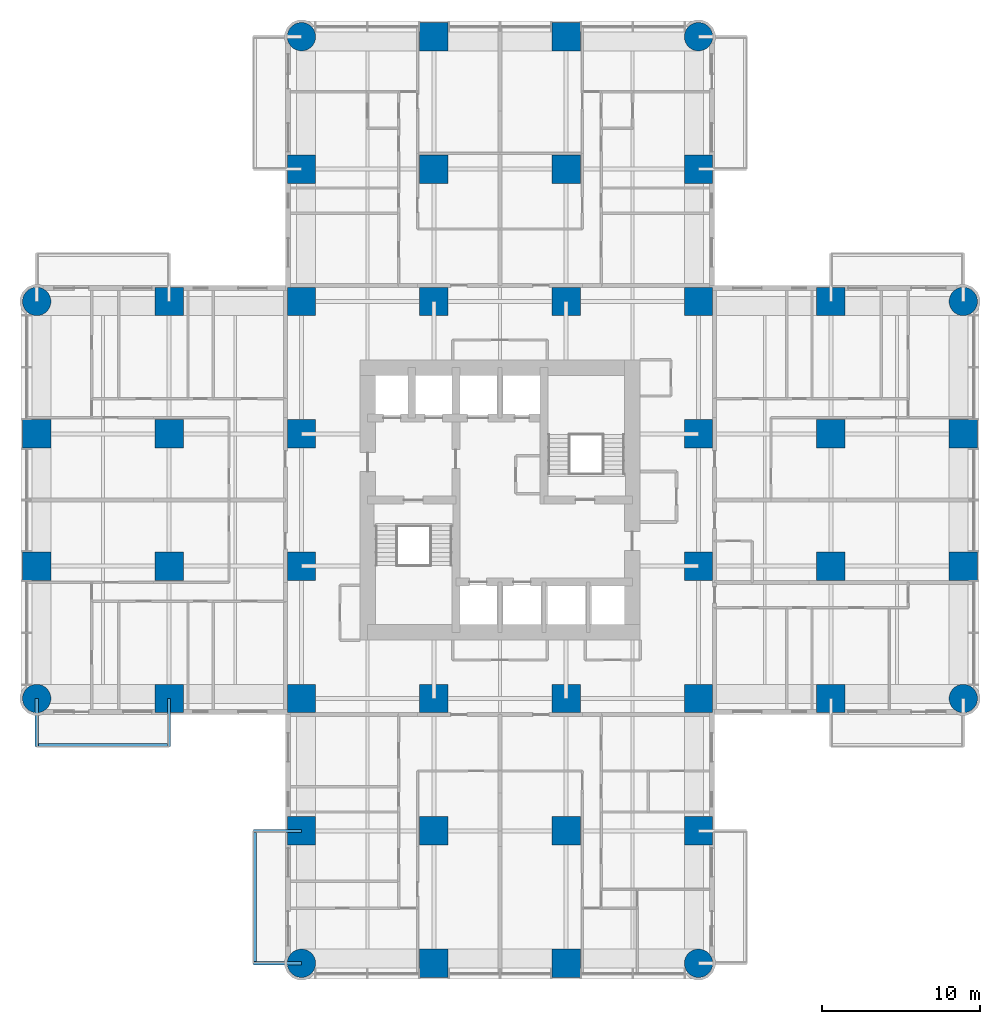
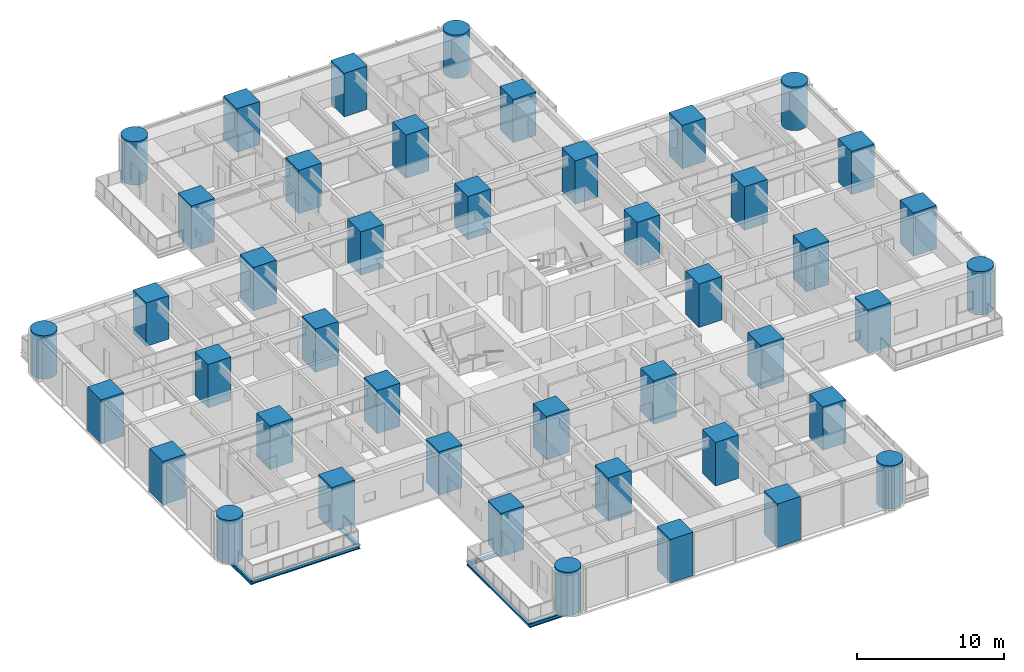
# One storey, part 1 of 17: 44 columns, 6 beams.
"""IFC4 building model written with IfcOpenShell, lengths in metres."""

from ifc_helpers import new_model, si_unit, direction, frame, origin, origin_2d, place, context, subcontext, project, spatial, rectangle, circle, i_section, extrude, material, material_profile, profile_set, type_object, element, save


model = new_model("IFC4")

# Units and contexts
model_context = context("Model", 3, precision=1e-05, world=origin(), true_north=direction((0.0, 1.0)))
body_context = subcontext(model_context, "Body", "Model", "MODEL_VIEW")
ifc_project = project(units=[si_unit("LENGTHUNIT", "METRE"), si_unit("AREAUNIT", "SQUARE_METRE"), si_unit("VOLUMEUNIT", "CUBIC_METRE"), si_unit("PLANEANGLEUNIT", "RADIAN"), si_unit("MASSUNIT", "GRAM", prefix="KILO")], contexts=[model_context])

# Site, building, storey
site_placement = place(None, origin())
site = spatial("IfcSite", under=ifc_project, at=site_placement, CompositionType="ELEMENT")
building_placement = place(site_placement, origin())
building = spatial("IfcBuilding", under=site, at=building_placement, Name="Torre Alcanfor", CompositionType="ELEMENT")
storey_placement = place(building_placement, frame((0.0, 0.0, 52.5)))
storey = spatial("IfcBuildingStorey", under=building, at=storey_placement, Name="L12", CompositionType="ELEMENT", Elevation=52.5)

# Columns
ifc_material_1 = material(Name="Concrete f'c 70 MPa", Category="concrete")
ifc_material_profile_1 = material_profile(ifc_material_1, rectangle(XDim=1.800048828125, YDim=1.800048828125, at=origin_2d()), Name="1800x1800")
ifc_profile_set_1 = profile_set([ifc_material_profile_1], Name="Concrete f'c 70 MPa")
column_type_1 = type_object("IfcColumnType", Name="RC column 1800x1800 f'c70", PredefinedType="COLUMN", material=ifc_profile_set_1)
for number, where, z_axis, x_axis, name in (
    (1, (0.0, 25.199951171875, 0.0), (0.0, 0.0, 1.0), (1.0, 0.0, 0.0), "Column 1/F L12"),
    (2, (0.0, 33.60009765625, 0.0), (0.0, 0.0, 1.0), (1.0, 0.0, 0.0), "Column 1/G L12"),
    (3, (8.39990234375, 16.800048828125, 0.0), (0.0, 0.0, 1.0), (1.0, 0.0, 0.0), "Column 2/E L12"),
    (4, (8.39990234375, 25.199951171875, 0.0), (0.0, 0.0, 1.0), (1.0, 0.0, 0.0), "Column 2/F L12"),
    (5, (8.39990234375, 33.60009765625, 0.0), (0.0, 0.0, 1.0), (1.0, 0.0, 0.0), "Column 2/G L12"),
    (6, (8.39990234375, 42.0, 0.0), (0.0, 0.0, 1.0), (1.0, 0.0, 0.0), "Column 2/H L12"),
    (7, (16.800048828125, 8.39990234375, 0.0), (0.0, 0.0, 1.0), (1.0, 0.0, 0.0), "Column 3/D L12"),
    (8, (16.800048828125, 16.800048828125, 0.0), (0.0, 0.0, 1.0), (1.0, 0.0, 0.0), "Column 3/E L12"),
    (9, (16.800048828125, 25.199951171875, 0.0), (0.0, 0.0, 1.0), (1.0, 0.0, 0.0), "Column 3/F L12"),
    (10, (16.800048828125, 33.60009765625, 0.0), (0.0, 0.0, 1.0), (1.0, 0.0, 0.0), "Column 3/G L12"),
    (11, (16.800048828125, 42.0, 0.0), (0.0, 0.0, 1.0), (1.0, 0.0, 0.0), "Column 3/H L12"),
    (12, (16.800048828125, 50.39990234375, 0.0), (0.0, 0.0, 1.0), (1.0, 0.0, 0.0), "Column 3/J L12"),
    (13, (25.199951171875, 0.0, 0.0), (0.0, 0.0, 1.0), (1.0, 0.0, 0.0), "Column 4/C L12"),
    (14, (25.199951171875, 8.39990234375, 0.0), (0.0, 0.0, 1.0), (1.0, 0.0, 0.0), "Column 4/D L12"),
    (15, (25.199951171875, 16.800048828125, 0.0), (0.0, 0.0, 1.0), (1.0, 0.0, 0.0), "Column 4/E L12"),
    (16, (25.199951171875, 42.0, 0.0), (0.0, 0.0, 1.0), (1.0, 0.0, 0.0), "Column 4/H L12"),
    (17, (25.199951171875, 50.39990234375, 0.0), (0.0, 0.0, 1.0), (1.0, 0.0, 0.0), "Column 4/J L12"),
    (18, (25.199951171875, 58.800048828125, 0.0), (0.0, 0.0, 1.0), (1.0, 0.0, 0.0), "Column 4/K L12"),
    (19, (33.60009765625, 0.0, 0.0), (0.0, 0.0, 1.0), (1.0, 0.0, 0.0), "Column 5/C L12"),
    (20, (33.60009765625, 8.39990234375, 0.0), (0.0, 0.0, 1.0), (1.0, 0.0, 0.0), "Column 5/D L12"),
    (21, (33.60009765625, 16.800048828125, 0.0), (0.0, 0.0, 1.0), (1.0, 0.0, 0.0), "Column 5/E L12"),
    (22, (33.60009765625, 42.0, 0.0), (0.0, 0.0, 1.0), (1.0, 0.0, 0.0), "Column 5/H L12"),
    (23, (33.60009765625, 50.39990234375, 0.0), (0.0, 0.0, 1.0), (1.0, 0.0, 0.0), "Column 5/J L12"),
    (24, (33.60009765625, 58.800048828125, 0.0), (0.0, 0.0, 1.0), (1.0, 0.0, 0.0), "Column 5/K L12"),
    (25, (42.0, 8.39990234375, 0.0), (0.0, 0.0, 1.0), (1.0, 0.0, 0.0), "Column 6/D L12"),
    (26, (42.0, 16.800048828125, 0.0), (0.0, 0.0, 1.0), (1.0, 0.0, 0.0), "Column 6/E L12"),
    (27, (42.0, 25.199951171875, 0.0), (0.0, 0.0, 1.0), (1.0, 0.0, 0.0), "Column 6/F L12"),
    (28, (42.0, 33.60009765625, 0.0), (0.0, 0.0, 1.0), (1.0, 0.0, 0.0), "Column 6/G L12"),
    (29, (42.0, 42.0, 0.0), (0.0, 0.0, 1.0), (1.0, 0.0, 0.0), "Column 6/H L12"),
    (30, (42.0, 50.39990234375, 0.0), (0.0, 0.0, 1.0), (1.0, 0.0, 0.0), "Column 6/J L12"),
    (31, (50.39990234375, 16.800048828125, 0.0), (0.0, 0.0, 1.0), (1.0, 0.0, 0.0), "Column 7/E L12"),
    (32, (50.39990234375, 25.199951171875, 0.0), (0.0, 0.0, 1.0), (1.0, 0.0, 0.0), "Column 7/F L12"),
    (33, (50.39990234375, 33.60009765625, 0.0), (0.0, 0.0, 1.0), (1.0, 0.0, 0.0), "Column 7/G L12"),
    (34, (50.39990234375, 42.0, 0.0), (0.0, 0.0, 1.0), (1.0, 0.0, 0.0), "Column 7/H L12"),
    (35, (58.800048828125, 25.199951171875, 0.0), (0.0, 0.0, 1.0), (1.0, 0.0, 0.0), "Column 8/F L12"),
    (36, (58.800048828125, 33.60009765625, 0.0), (0.0, 0.0, 1.0), (1.0, 0.0, 0.0), "Column 8/G L12"),
):
    element("IfcColumn", number, at=place(storey_placement, frame(where, z_axis=z_axis, x_axis=x_axis)), inside=storey, type_object=column_type_1, Name=name, PredefinedType="COLUMN", context=body_context, shape_type="SweptSolid", body=[
        extrude(rectangle(XDim=1.800048828125, YDim=1.800048828125, at=origin_2d()), origin(), (0.0, 0.0, 1.0), 3.60009765625),
    ])
ifc_material_2 = material(Name="Concrete f'c 70 MPa", Category="concrete")
ifc_material_profile_2 = material_profile(ifc_material_2, circle(Radius=0.89990234375, at=origin_2d()), Name="D1800")
ifc_profile_set_2 = profile_set([ifc_material_profile_2], Name="Concrete f'c 70 MPa")
column_type_2 = type_object("IfcColumnType", Name="RC column D1800 f'c70", PredefinedType="COLUMN", material=ifc_profile_set_2)
for number, where, z_axis, x_axis, name in (
    (37, (0.0, 16.800048828125, 0.0), (0.0, 0.0, 1.0), (1.0, 0.0, 0.0), "Column 1/E L12"),
    (38, (0.0, 42.0, 0.0), (0.0, 0.0, 1.0), (1.0, 0.0, 0.0), "Column 1/H L12"),
    (39, (16.800048828125, 0.0, 0.0), (0.0, 0.0, 1.0), (1.0, 0.0, 0.0), "Column 3/C L12"),
    (40, (16.800048828125, 58.800048828125, 0.0), (0.0, 0.0, 1.0), (1.0, 0.0, 0.0), "Column 3/K L12"),
    (41, (42.0, 0.0, 0.0), (0.0, 0.0, 1.0), (1.0, 0.0, 0.0), "Column 6/C L12"),
    (42, (42.0, 58.800048828125, 0.0), (0.0, 0.0, 1.0), (1.0, 0.0, 0.0), "Column 6/K L12"),
    (43, (58.800048828125, 16.800048828125, 0.0), (0.0, 0.0, 1.0), (1.0, 0.0, 0.0), "Column 8/E L12"),
    (44, (58.800048828125, 42.0, 0.0), (0.0, 0.0, 1.0), (1.0, 0.0, 0.0), "Column 8/H L12"),
):
    element("IfcColumn", number, at=place(storey_placement, frame(where, z_axis=z_axis, x_axis=x_axis)), inside=storey, type_object=column_type_2, Name=name, PredefinedType="COLUMN", context=body_context, shape_type="SweptSolid", body=[
        extrude(circle(Radius=0.89990234375, at=origin_2d()), origin(), (0.0, 0.0, 1.0), 3.60009765625),
    ])

# Beams
ifc_material_3 = material(Name="Steel ASTM A992 Grade 50", Category="steel")
ifc_material_profile_3 = material_profile(ifc_material_3, i_section(OverallWidth=0.205322265625, OverallDepth=0.309814453125, WebThickness=0.00927734375, FlangeThickness=0.016357421875, at=origin_2d()), Name="W12x50")
ifc_profile_set_3 = profile_set([ifc_material_profile_3], Name="Steel ASTM A992 Grade 50")
beam_type_1 = type_object("IfcBeamType", Name="Balcony cantilever beam W12x50", PredefinedType="BEAM", material=ifc_profile_set_3)
for number, where, z_axis, x_axis, name in (
    (45, (16.800048828125, 8.39990234375, -0.35498046875), (-1.0, 0.0, 0.0), (0.0, -1.0, 0.0), "Balcony cantilever beam L12-S2 1"),
    (46, (16.800048828125, 0.0, -0.35498046875), (-1.0, 0.0, 0.0), (0.0, -1.0, 0.0), "Balcony cantilever beam L12-S2 2"),
    (47, (8.39990234375, 16.800048828125, -0.35498046875), (0.0, -1.0, 0.0), (1.0, 0.0, 0.0), "Balcony cantilever beam L12-W1 1"),
    (48, (0.0, 16.800048828125, -0.35498046875), (0.0, -1.0, 0.0), (1.0, 0.0, 0.0), "Balcony cantilever beam L12-W1 2"),
):
    element("IfcBeam", number, at=place(storey_placement, frame(where, z_axis=z_axis, x_axis=x_axis)), inside=storey, type_object=beam_type_1, Name=name, PredefinedType="BEAM", context=body_context, shape_type="SweptSolid", body=[
        extrude(i_section(OverallWidth=0.205322265625, OverallDepth=0.309814453125, WebThickness=0.00927734375, FlangeThickness=0.016357421875, at=origin_2d()), origin(), (0.0, 0.0, 1.0), 3.050048828125),
    ])
ifc_material_4 = material(Name="Steel ASTM A992 Grade 50", Category="steel")
ifc_material_profile_4 = material_profile(ifc_material_4, i_section(OverallWidth=0.203369140625, OverallDepth=0.30224609375, WebThickness=0.007568359375, FlangeThickness=0.01318359375, at=origin_2d()), Name="W12x40")
ifc_profile_set_4 = profile_set([ifc_material_profile_4], Name="Steel ASTM A992 Grade 50")
beam_type_2 = type_object("IfcBeamType", Name="Balcony edge trimmer W12x40", PredefinedType="BEAM", material=ifc_profile_set_4)
for number, where, z_axis, x_axis, name in (
    (49, (13.851806640625, 8.39990234375, -0.35107421875), (0.0, -1.0, 0.0), (1.0, 0.0, 0.0), "Balcony edge trimmer L12-S2"),
    (50, (8.39990234375, 13.851806640625, -0.35107421875), (-1.0, 0.0, 0.0), (0.0, -1.0, 0.0), "Balcony edge trimmer L12-W1"),
):
    element("IfcBeam", number, at=place(storey_placement, frame(where, z_axis=z_axis, x_axis=x_axis)), inside=storey, type_object=beam_type_2, Name=name, PredefinedType="BEAM", context=body_context, shape_type="SweptSolid", body=[
        extrude(i_section(OverallWidth=0.203369140625, OverallDepth=0.30224609375, WebThickness=0.007568359375, FlangeThickness=0.01318359375, at=origin_2d()), origin(), (0.0, 0.0, 1.0), 8.39990234375),
    ])

save(model, "model.ifc")
